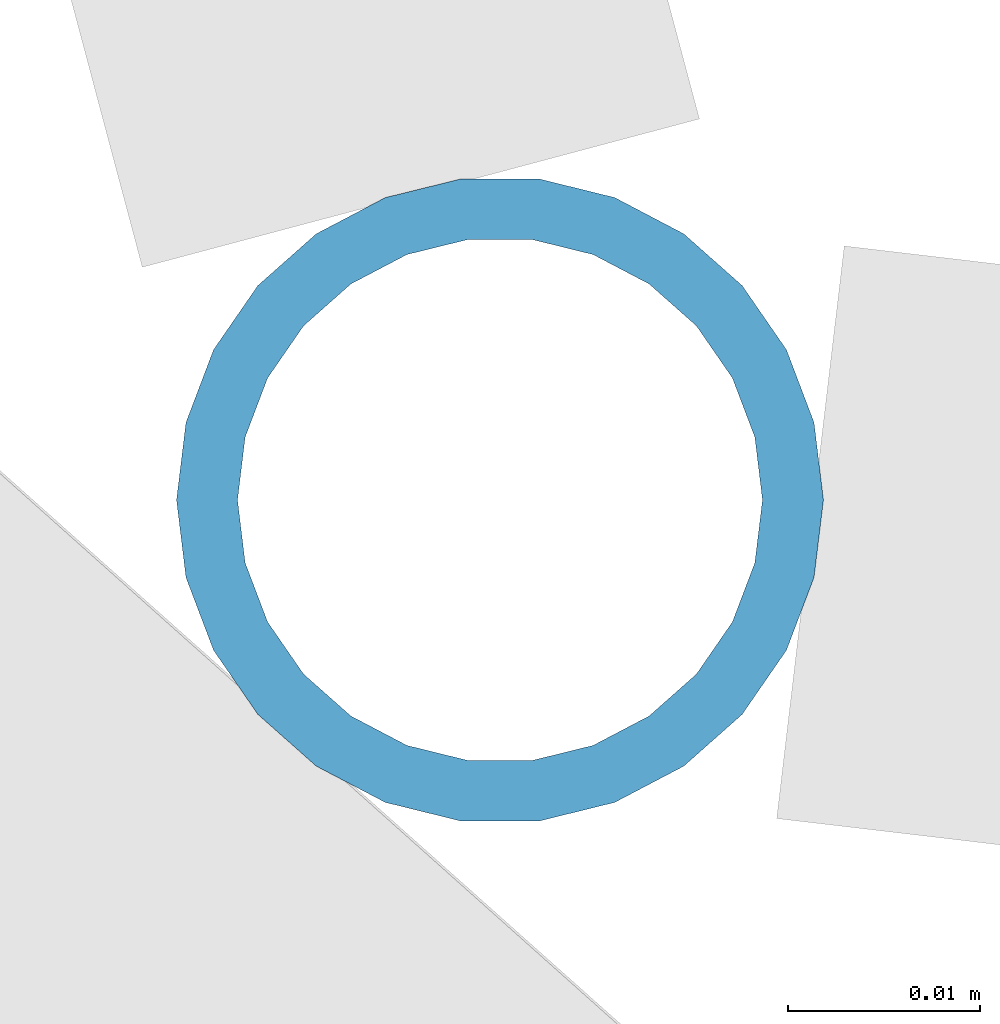
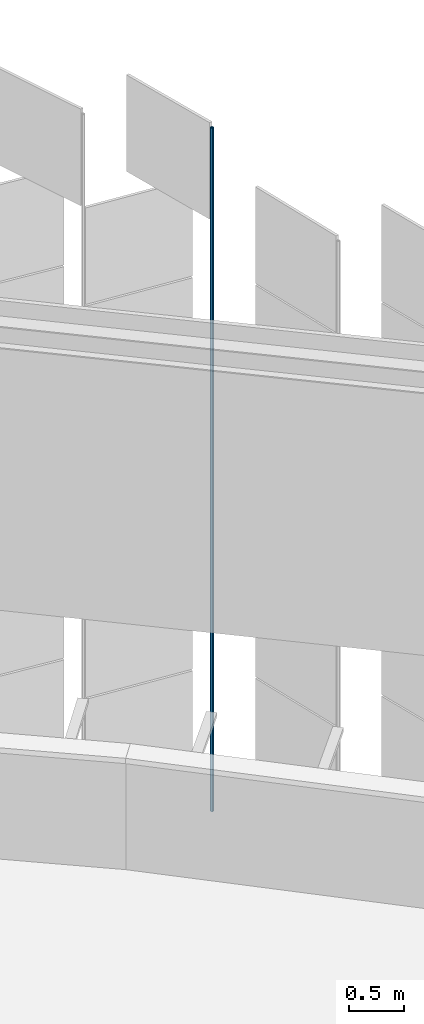
# One storey, part 314 of 483: 1 discrete accessory.
"""IFC4 building model written with IfcOpenShell, lengths in metres."""

from ifc_helpers import new_model, si_unit, direction, frame, origin, origin_2d, place, context, subcontext, project, spatial, hollow_circle, extrude, material, material_profile, profile_set, type_object, element, save


model = new_model("IFC4")

# Units and contexts
model_context = context("Model", 3, precision=1e-05, world=origin(), true_north=direction((0.0, 1.0)))
body_context = subcontext(model_context, "Body", "Model", "MODEL_VIEW")
ifc_project = project(units=[si_unit("LENGTHUNIT", "METRE"), si_unit("AREAUNIT", "SQUARE_METRE"), si_unit("VOLUMEUNIT", "CUBIC_METRE"), si_unit("PLANEANGLEUNIT", "RADIAN"), si_unit("MASSUNIT", "GRAM", prefix="KILO")], contexts=[model_context])

# Site, building, storey
site_placement = place(None, origin())
site = spatial("IfcSite", under=ifc_project, at=site_placement, CompositionType="ELEMENT")
building_placement = place(site_placement, origin())
building = spatial("IfcBuilding", under=site, at=building_placement, Name="Parallax Yard Mobility Hub", CompositionType="ELEMENT")
storey_placement = place(building_placement, frame((0.0, 0.0, 13.199951171875)))
storey = spatial("IfcBuildingStorey", under=building, at=storey_placement, Name="L04", CompositionType="ELEMENT", Elevation=13.199951171875)

# Discrete accessory
ifc_material = material(Name="Steel ASTM A500 Gr C, hot-dip galvanised", Category="steel")
ifc_material_profile = material_profile(ifc_material, hollow_circle(Radius=0.016845703125, WallThickness=0.003173828125, at=origin_2d()), Name="CHS 33.7x3.2")
ifc_profile_set = profile_set([ifc_material_profile], Name="Steel ASTM A500 Gr C, hot-dip galvanised")
discrete_accessory_type = type_object("IfcDiscreteAccessoryType", Name="Hinge post CHS 33.7x3.2", PredefinedType="BRACKET", material=ifc_profile_set)
discrete_accessory_placement = place(storey_placement, frame((207.5859375, 130.151123046875, 0.0), z_axis=(0.0, 0.0, 1.0), x_axis=(1.0, 0.0, 0.0)))
element("IfcDiscreteAccessory", 1, at=discrete_accessory_placement, inside=storey, type_object=discrete_accessory_type, Name="Hinge post bay 46.4 level L04", PredefinedType="BRACKET", context=body_context, shape_type="SweptSolid", body=[
    extrude(hollow_circle(Radius=0.016845703125, WallThickness=0.003173828125, at=origin_2d()), origin(), (0.0, 0.0, 1.0), 7.650146484375),
])

save(model, "model.ifc")
